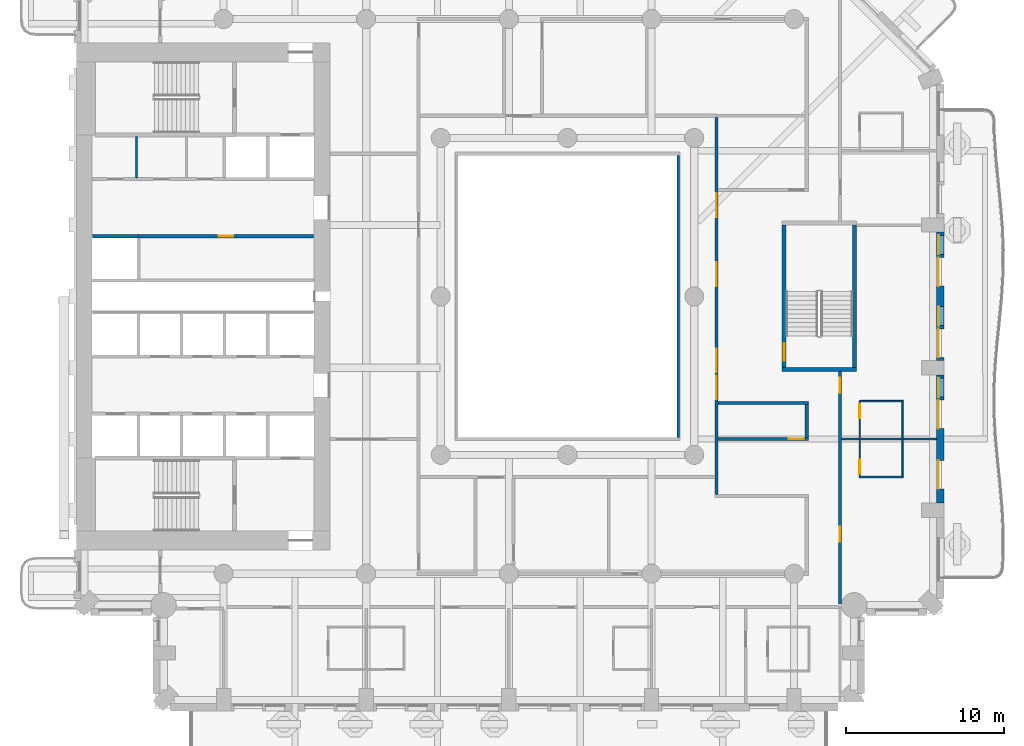
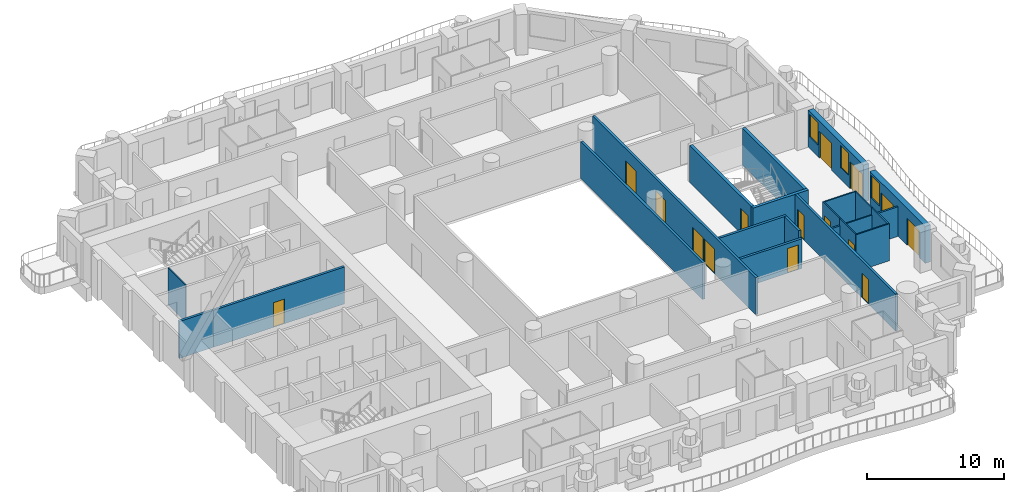
# One storey, part 6 of 20: 23 walls, 15 doors, 3 windows, 18 openings.
"""IFC4 building model written with IfcOpenShell, lengths in metres."""

from ifc_helpers import new_model, si_unit, direction, frame, frame_2d, origin, place, context, subcontext, project, spatial, rectangle, extrude, material, layer, layer_set, type_object, element, fill, save


model = new_model("IFC4")

# Units and contexts
model_context = context("Model", 3, precision=1e-05, world=origin(), true_north=direction((0.0, 1.0)))
body_context = subcontext(model_context, "Body", "Model", "MODEL_VIEW")
ifc_project = project(units=[si_unit("LENGTHUNIT", "METRE"), si_unit("AREAUNIT", "SQUARE_METRE"), si_unit("VOLUMEUNIT", "CUBIC_METRE"), si_unit("PLANEANGLEUNIT", "RADIAN"), si_unit("MASSUNIT", "GRAM", prefix="KILO")], contexts=[model_context])

# Site, building, storey
site_placement = place(None, origin())
site = spatial("IfcSite", under=ifc_project, at=site_placement, CompositionType="ELEMENT")
building_placement = place(site_placement, origin())
building = spatial("IfcBuilding", under=site, at=building_placement, Name="Cypress Arch Tower", CompositionType="ELEMENT")
storey_placement = place(building_placement, frame((0.0, 0.0, 73.5)))
storey = spatial("IfcBuildingStorey", under=building, at=storey_placement, Name="L12", CompositionType="ELEMENT", Elevation=73.5)

# Wall, openings, doors, window
ifc_material_1 = material(Name="Brick (red buff blend)", Category="masonry")
ifc_layer_1 = layer(ifc_material_1, 0.449951171875)
ifc_layer_set_1 = layer_set([ifc_layer_1], Name="Brick pier and spandrel wall BW450")
wall_type_1 = type_object("IfcWallType", Name="Brick pier and spandrel wall BW450", PredefinedType="SOLIDWALL", material=ifc_layer_set_1)
wall_1_placement = place(storey_placement, frame((24.52490234375, -13.050048828125, 0.0), z_axis=(0.0, 0.0, 1.0), x_axis=(0.0, 1.0, 0.0)))
wall_1 = element("IfcWall", 1, at=wall_1_placement, inside=storey, type_object=wall_type_1, Name="Brick wall L12 A06.1", PredefinedType="SOLIDWALL", context=body_context, shape_type="SweptSolid", body=[
    extrude(rectangle(XDim=8.10009765625, YDim=0.449951171875, at=frame_2d((4.050048828125, 0.0))), origin(), (0.0, 0.0, 1.0), 3.300048828125),
])
opening_1_placement = place(wall_1_placement, frame((0.89990234375, 0.0, 0.0)))
opening_1 = element("IfcOpeningElement", 2, at=opening_1_placement, cuts=wall_1, Name="Opening D-L12-A06.1.1", PredefinedType="OPENING", context=body_context, shape_type="SweptSolid", body=[
    extrude(rectangle(XDim=1.800048828125, YDim=2.39990234375, at=frame_2d((0.89990234375, 1.199951171875))), frame((0.0, 0.23486328125, 0.0), z_axis=(0.0, -1.0, 0.0), x_axis=(1.0, 0.0, 0.0)), (0.0, 0.0, 1.0), 0.469970703125),
])
opening_2_placement = place(wall_1_placement, frame((4.699951171875, 0.0, 0.0)))
opening_2 = element("IfcOpeningElement", 3, at=opening_2_placement, cuts=wall_1, Name="Opening D-L12-A06.1.2", PredefinedType="OPENING", context=body_context, shape_type="SweptSolid", body=[
    extrude(rectangle(XDim=1.800048828125, YDim=2.39990234375, at=frame_2d((0.89990234375, 1.199951171875))), frame((0.0, 0.23486328125, 0.0), z_axis=(0.0, -1.0, 0.0), x_axis=(1.0, 0.0, 0.0)), (0.0, 0.0, 1.0), 0.469970703125),
])
opening_3_placement = place(wall_1_placement, frame((6.699951171875, 0.0, 1.050048828125)))
opening_3 = element("IfcOpeningElement", 4, at=opening_3_placement, cuts=wall_1, Name="Opening W120HD", PredefinedType="OPENING", context=body_context, shape_type="SweptSolid", body=[
    extrude(rectangle(XDim=1.199951171875, YDim=2.0, at=frame_2d((0.60009765625, 1.0))), frame((0.0, 0.23486328125, 0.0), z_axis=(0.0, -1.0, 0.0), x_axis=(1.0, 0.0, 0.0)), (0.0, 0.0, 1.0), 0.469970703125),
])
ifc_material_2 = material(Name="Anodised aluminium, bronze finish, laminated low-emissivity double glazing, large-missile impact rated", Category="aluminium")
door_type_1 = type_object("IfcDoorType", Name="Balcony sliding door 1800x2400", OperationType="SLIDING_TO_LEFT", PredefinedType="DOOR", material=ifc_material_2)
door_1_placement = place(opening_1_placement, origin())
door_1 = element("IfcDoor", 5, at=door_1_placement, inside=storey, type_object=door_type_1, Name="Balcony door L12 A06.1.1", OperationType="SLIDING_TO_LEFT", OverallHeight=2.39990234375, OverallWidth=1.800048828125, PredefinedType="DOOR", context=body_context, shape_type="SweptSolid", body=[
    extrude(rectangle(XDim=1.800048828125, YDim=2.39990234375, at=frame_2d((0.89990234375, 1.199951171875))), frame((0.0, 0.1298828125, 0.0), z_axis=(0.0, -1.0, 0.0), x_axis=(1.0, 0.0, 0.0)), (0.0, 0.0, 1.0), 0.050048828125),
])
fill(opening_1, door_1)
door_2_placement = place(opening_2_placement, origin())
door_2 = element("IfcDoor", 6, at=door_2_placement, inside=storey, type_object=door_type_1, Name="Balcony door L12 A06.1.2", OperationType="SLIDING_TO_LEFT", OverallHeight=2.39990234375, OverallWidth=1.800048828125, PredefinedType="DOOR", context=body_context, shape_type="SweptSolid", body=[
    extrude(rectangle(XDim=1.800048828125, YDim=2.39990234375, at=frame_2d((0.89990234375, 1.199951171875))), frame((0.0, 0.1298828125, 0.0), z_axis=(0.0, -1.0, 0.0), x_axis=(1.0, 0.0, 0.0)), (0.0, 0.0, 1.0), 0.050048828125),
])
fill(opening_2, door_2)
ifc_material_3 = material(Name="Anodised aluminium, bronze finish, laminated low-emissivity double glazing, large-missile impact rated", Category="aluminium")
window_type = type_object("IfcWindowType", Name="Window Hotel 1200x2000 debris-rated", PartitioningType="SINGLE_PANEL", PredefinedType="WINDOW", material=ifc_material_3)
window_1_placement = place(opening_3_placement, origin())
window_1 = element("IfcWindow", 7, at=window_1_placement, inside=storey, type_object=window_type, Name="Window L12 A06.1.2", OverallHeight=2.0, OverallWidth=1.199951171875, PartitioningType="SINGLE_PANEL", PredefinedType="WINDOW", context=body_context, shape_type="SweptSolid", body=[
    extrude(rectangle(XDim=1.199951171875, YDim=2.0, at=frame_2d((0.60009765625, 1.0))), frame((0.0, 0.135009765625, 0.0), z_axis=(0.0, -1.0, 0.0), x_axis=(1.0, 0.0, 0.0)), (0.0, 0.0, 1.0), 0.06005859375),
])
fill(opening_3, window_1)

# Wall, openings, doors, windows
wall_2_placement = place(storey_placement, frame((24.52490234375, -4.050048828125, 0.0), z_axis=(0.0, 0.0, 1.0), x_axis=(0.0, 1.0, 0.0)))
wall_2 = element("IfcWall", 8, at=wall_2_placement, inside=storey, type_object=wall_type_1, Name="Brick wall L12 A06.2", PredefinedType="SOLIDWALL", context=body_context, shape_type="SweptSolid", body=[
    extrude(rectangle(XDim=8.10009765625, YDim=0.449951171875, at=frame_2d((4.050048828125, 0.0))), origin(), (0.0, 0.0, 1.0), 3.300048828125),
])
opening_4_placement = place(wall_2_placement, frame((0.199951171875, 0.0, 0.0)))
opening_4 = element("IfcOpeningElement", 9, at=opening_4_placement, cuts=wall_2, Name="Opening D-L12-A06.2.1", PredefinedType="OPENING", context=body_context, shape_type="SweptSolid", body=[
    extrude(rectangle(XDim=1.800048828125, YDim=2.39990234375, at=frame_2d((0.89990234375, 1.199951171875))), frame((0.0, 0.23486328125, 0.0), z_axis=(0.0, -1.0, 0.0), x_axis=(1.0, 0.0, 0.0)), (0.0, 0.0, 1.0), 0.469970703125),
])
opening_5_placement = place(wall_2_placement, frame((2.199951171875, 0.0, 1.050048828125)))
opening_5 = element("IfcOpeningElement", 10, at=opening_5_placement, cuts=wall_2, Name="Opening W120HD", PredefinedType="OPENING", context=body_context, shape_type="SweptSolid", body=[
    extrude(rectangle(XDim=1.199951171875, YDim=2.0, at=frame_2d((0.60009765625, 1.0))), frame((0.0, 0.23486328125, 0.0), z_axis=(0.0, -1.0, 0.0), x_axis=(1.0, 0.0, 0.0)), (0.0, 0.0, 1.0), 0.469970703125),
])
opening_6_placement = place(wall_2_placement, frame((4.699951171875, 0.0, 0.0)))
opening_6 = element("IfcOpeningElement", 11, at=opening_6_placement, cuts=wall_2, Name="Opening D-L12-A06.2.2", PredefinedType="OPENING", context=body_context, shape_type="SweptSolid", body=[
    extrude(rectangle(XDim=1.800048828125, YDim=2.39990234375, at=frame_2d((0.89990234375, 1.199951171875))), frame((0.0, 0.23486328125, 0.0), z_axis=(0.0, -1.0, 0.0), x_axis=(1.0, 0.0, 0.0)), (0.0, 0.0, 1.0), 0.469970703125),
])
opening_7_placement = place(wall_2_placement, frame((6.699951171875, 0.0, 1.050048828125)))
opening_7 = element("IfcOpeningElement", 12, at=opening_7_placement, cuts=wall_2, Name="Opening W120HD", PredefinedType="OPENING", context=body_context, shape_type="SweptSolid", body=[
    extrude(rectangle(XDim=1.199951171875, YDim=2.0, at=frame_2d((0.60009765625, 1.0))), frame((0.0, 0.23486328125, 0.0), z_axis=(0.0, -1.0, 0.0), x_axis=(1.0, 0.0, 0.0)), (0.0, 0.0, 1.0), 0.469970703125),
])
door_3_placement = place(opening_4_placement, origin())
door_3 = element("IfcDoor", 13, at=door_3_placement, inside=storey, type_object=door_type_1, Name="Balcony door L12 A06.2.1", OperationType="SLIDING_TO_LEFT", OverallHeight=2.39990234375, OverallWidth=1.800048828125, PredefinedType="DOOR", context=body_context, shape_type="SweptSolid", body=[
    extrude(rectangle(XDim=1.800048828125, YDim=2.39990234375, at=frame_2d((0.89990234375, 1.199951171875))), frame((0.0, 0.1298828125, 0.0), z_axis=(0.0, -1.0, 0.0), x_axis=(1.0, 0.0, 0.0)), (0.0, 0.0, 1.0), 0.050048828125),
])
fill(opening_4, door_3)
door_4_placement = place(opening_6_placement, origin())
door_4 = element("IfcDoor", 14, at=door_4_placement, inside=storey, type_object=door_type_1, Name="Balcony door L12 A06.2.2", OperationType="SLIDING_TO_LEFT", OverallHeight=2.39990234375, OverallWidth=1.800048828125, PredefinedType="DOOR", context=body_context, shape_type="SweptSolid", body=[
    extrude(rectangle(XDim=1.800048828125, YDim=2.39990234375, at=frame_2d((0.89990234375, 1.199951171875))), frame((0.0, 0.1298828125, 0.0), z_axis=(0.0, -1.0, 0.0), x_axis=(1.0, 0.0, 0.0)), (0.0, 0.0, 1.0), 0.050048828125),
])
fill(opening_6, door_4)
window_2_placement = place(opening_5_placement, origin())
window_2 = element("IfcWindow", 15, at=window_2_placement, inside=storey, type_object=window_type, Name="Window L12 A06.2.1", OverallHeight=2.0, OverallWidth=1.199951171875, PartitioningType="SINGLE_PANEL", PredefinedType="WINDOW", context=body_context, shape_type="SweptSolid", body=[
    extrude(rectangle(XDim=1.199951171875, YDim=2.0, at=frame_2d((0.60009765625, 1.0))), frame((0.0, 0.135009765625, 0.0), z_axis=(0.0, -1.0, 0.0), x_axis=(1.0, 0.0, 0.0)), (0.0, 0.0, 1.0), 0.06005859375),
])
fill(opening_5, window_2)
window_3_placement = place(opening_7_placement, origin())
window_3 = element("IfcWindow", 16, at=window_3_placement, inside=storey, type_object=window_type, Name="Window L12 A06.2.2", OverallHeight=2.0, OverallWidth=1.199951171875, PartitioningType="SINGLE_PANEL", PredefinedType="WINDOW", context=body_context, shape_type="SweptSolid", body=[
    extrude(rectangle(XDim=1.199951171875, YDim=2.0, at=frame_2d((0.60009765625, 1.0))), frame((0.0, 0.135009765625, 0.0), z_axis=(0.0, -1.0, 0.0), x_axis=(1.0, 0.0, 0.0)), (0.0, 0.0, 1.0), 0.06005859375),
])
fill(opening_7, window_3)

# Wall
ifc_material_4 = material(Name="Concrete blockwork, plastered, rated", Category="masonry")
ifc_layer_2 = layer(ifc_material_4, 0.199951171875)
ifc_layer_set_2 = layer_set([ifc_layer_2], Name="Corridor wall FW200")
wall_type_2 = type_object("IfcWallType", Name="Corridor wall FW200", PredefinedType="PARTITIONING", material=ifc_layer_set_2)
wall_3_placement = place(storey_placement, frame((8.0, -8.89990234375, 0.0), z_axis=(0.0, 0.0, 1.0), x_axis=(0.0, 1.0, 0.0)))
element("IfcWall", 17, at=wall_3_placement, inside=storey, type_object=wall_type_2, Name="Corridor wall", PredefinedType="PARTITIONING", context=body_context, shape_type="SweptSolid", body=[
    extrude(rectangle(XDim=17.7998046875, YDim=0.199951171875, at=frame_2d((8.89990234375, 0.0))), origin(), (0.0, 0.0, 1.0), 3.300048828125),
])

# Wall, openings, doors
wall_4_placement = place(storey_placement, frame((10.39892578125, -12.5, 0.0), z_axis=(0.0, 0.0, 1.0), x_axis=(0.0, 1.0, 0.0)))
wall_4 = element("IfcWall", 18, at=wall_4_placement, inside=storey, type_object=wall_type_2, Name="Corridor wall", PredefinedType="PARTITIONING", context=body_context, shape_type="SweptSolid", body=[
    extrude(rectangle(XDim=23.800048828125, YDim=0.199951171875, at=frame_2d((11.89990234375, 0.0))), origin(), (0.0, 0.0, 1.0), 3.300048828125),
])
opening_8_placement = place(wall_4_placement, frame((6.0, 0.0, 0.0)))
opening_8 = element("IfcOpeningElement", 19, at=opening_8_placement, cuts=wall_4, Name="Opening D04", PredefinedType="OPENING", context=body_context, shape_type="SweptSolid", body=[
    extrude(rectangle(XDim=1.5, YDim=2.199951171875, at=frame_2d((0.75, 1.10009765625))), frame((0.0, 0.10986328125, 0.0), z_axis=(0.0, -1.0, 0.0), x_axis=(1.0, 0.0, 0.0)), (0.0, 0.0, 1.0), 0.219970703125),
])
opening_9_placement = place(wall_4_placement, frame((17.5, 0.0, 0.0)))
opening_9 = element("IfcOpeningElement", 20, at=opening_9_placement, cuts=wall_4, Name="Opening D04", PredefinedType="OPENING", context=body_context, shape_type="SweptSolid", body=[
    extrude(rectangle(XDim=1.5, YDim=2.199951171875, at=frame_2d((0.75, 1.10009765625))), frame((0.0, 0.10986328125, 0.0), z_axis=(0.0, -1.0, 0.0), x_axis=(1.0, 0.0, 0.0)), (0.0, 0.0, 1.0), 0.219970703125),
])
opening_10_placement = place(wall_4_placement, frame((7.699951171875, 0.0, 0.0)))
opening_10 = element("IfcOpeningElement", 21, at=opening_10_placement, cuts=wall_4, Name="Opening D04", PredefinedType="OPENING", context=body_context, shape_type="SweptSolid", body=[
    extrude(rectangle(XDim=1.5, YDim=2.199951171875, at=frame_2d((0.75, 1.10009765625))), frame((0.0, 0.10986328125, 0.0), z_axis=(0.0, -1.0, 0.0), x_axis=(1.0, 0.0, 0.0)), (0.0, 0.0, 1.0), 0.219970703125),
])
opening_11_placement = place(wall_4_placement, frame((13.14990234375, 0.0, 0.0)))
opening_11 = element("IfcOpeningElement", 22, at=opening_11_placement, cuts=wall_4, Name="Opening D04", PredefinedType="OPENING", context=body_context, shape_type="SweptSolid", body=[
    extrude(rectangle(XDim=1.5, YDim=2.199951171875, at=frame_2d((0.75, 1.10009765625))), frame((0.0, 0.10986328125, 0.0), z_axis=(0.0, -1.0, 0.0), x_axis=(1.0, 0.0, 0.0)), (0.0, 0.0, 1.0), 0.219970703125),
])
ifc_material_5 = material(Name="Timber double door", Category="wood")
door_type_2 = type_object("IfcDoorType", Name="Double door D04 1500x2200", OperationType="DOUBLE_DOOR_SINGLE_SWING", PredefinedType="DOOR", material=ifc_material_5)
door_5_placement = place(opening_8_placement, origin())
door_5 = element("IfcDoor", 23, at=door_5_placement, inside=storey, type_object=door_type_2, Name="Double door", OperationType="DOUBLE_DOOR_SINGLE_SWING", OverallHeight=2.199951171875, OverallWidth=1.5, PredefinedType="DOOR", context=body_context, shape_type="SweptSolid", body=[
    extrude(rectangle(XDim=1.5, YDim=2.199951171875, at=frame_2d((0.75, 1.10009765625))), frame((0.0, 0.02490234375, 0.0), z_axis=(0.0, -1.0, 0.0), x_axis=(1.0, 0.0, 0.0)), (0.0, 0.0, 1.0), 0.050048828125),
])
fill(opening_8, door_5)
door_6_placement = place(opening_9_placement, origin())
door_6 = element("IfcDoor", 24, at=door_6_placement, inside=storey, type_object=door_type_2, Name="Double door", OperationType="DOUBLE_DOOR_SINGLE_SWING", OverallHeight=2.199951171875, OverallWidth=1.5, PredefinedType="DOOR", context=body_context, shape_type="SweptSolid", body=[
    extrude(rectangle(XDim=1.5, YDim=2.199951171875, at=frame_2d((0.75, 1.10009765625))), frame((0.0, 0.02490234375, 0.0), z_axis=(0.0, -1.0, 0.0), x_axis=(1.0, 0.0, 0.0)), (0.0, 0.0, 1.0), 0.050048828125),
])
fill(opening_9, door_6)
door_7_placement = place(opening_10_placement, origin())
door_7 = element("IfcDoor", 25, at=door_7_placement, inside=storey, type_object=door_type_2, Name="Double door", OperationType="DOUBLE_DOOR_SINGLE_SWING", OverallHeight=2.199951171875, OverallWidth=1.5, PredefinedType="DOOR", context=body_context, shape_type="SweptSolid", body=[
    extrude(rectangle(XDim=1.5, YDim=2.199951171875, at=frame_2d((0.75, 1.10009765625))), frame((0.0, 0.02490234375, 0.0), z_axis=(0.0, -1.0, 0.0), x_axis=(1.0, 0.0, 0.0)), (0.0, 0.0, 1.0), 0.050048828125),
])
fill(opening_10, door_7)
door_8_placement = place(opening_11_placement, origin())
door_8 = element("IfcDoor", 26, at=door_8_placement, inside=storey, type_object=door_type_2, Name="Double door", OperationType="DOUBLE_DOOR_SINGLE_SWING", OverallHeight=2.199951171875, OverallWidth=1.5, PredefinedType="DOOR", context=body_context, shape_type="SweptSolid", body=[
    extrude(rectangle(XDim=1.5, YDim=2.199951171875, at=frame_2d((0.75, 1.10009765625))), frame((0.0, 0.02490234375, 0.0), z_axis=(0.0, -1.0, 0.0), x_axis=(1.0, 0.0, 0.0)), (0.0, 0.0, 1.0), 0.050048828125),
])
fill(opening_11, door_8)

# Wall, opening, door
wall_5_placement = place(storey_placement, frame((10.5, -9.0, 0.0), z_axis=(0.0, 0.0, 1.0), x_axis=(1.0, 0.0, 0.0)))
wall_5 = element("IfcWall", 27, at=wall_5_placement, inside=storey, type_object=wall_type_2, Name="Corridor wall", PredefinedType="PARTITIONING", context=body_context, shape_type="SweptSolid", body=[
    extrude(rectangle(XDim=5.699951171875, YDim=0.199951171875, at=frame_2d((2.85009765625, 0.0))), origin(), (0.0, 0.0, 1.0), 2.64990234375),
])
opening_12_placement = place(wall_5_placement, frame((4.449951171875, 0.0, 0.0)))
opening_12 = element("IfcOpeningElement", 28, at=opening_12_placement, cuts=wall_5, Name="Opening D02", PredefinedType="OPENING", context=body_context, shape_type="SweptSolid", body=[
    extrude(rectangle(XDim=0.949951171875, YDim=2.199951171875, at=frame_2d((0.47509765625, 1.10009765625))), frame((0.0, 0.10986328125, 0.0), z_axis=(0.0, -1.0, 0.0), x_axis=(1.0, 0.0, 0.0)), (0.0, 0.0, 1.0), 0.219970703125),
])
ifc_material_6 = material(Name="Timber flush door, fire resisting", Category="wood")
door_type_3 = type_object("IfcDoorType", Name="Room door D02 950x2200", OperationType="SINGLE_SWING_LEFT", PredefinedType="DOOR", material=ifc_material_6)
door_9_placement = place(opening_12_placement, origin())
door_9 = element("IfcDoor", 29, at=door_9_placement, inside=storey, type_object=door_type_3, Name="Room door", OperationType="SINGLE_SWING_RIGHT", OverallHeight=2.199951171875, OverallWidth=0.949951171875, PredefinedType="DOOR", context=body_context, shape_type="SweptSolid", body=[
    extrude(rectangle(XDim=0.949951171875, YDim=2.199951171875, at=frame_2d((0.47509765625, 1.10009765625))), frame((0.0, 0.02490234375, 0.0), z_axis=(0.0, -1.0, 0.0), x_axis=(1.0, 0.0, 0.0)), (0.0, 0.0, 1.0), 0.050048828125),
])
fill(opening_12, door_9)

# Walls
wall_6_placement = place(storey_placement, frame((10.5, -6.72509765625, 0.0), z_axis=(0.0, 0.0, 1.0), x_axis=(1.0, 0.0, 0.0)))
element("IfcWall", 30, at=wall_6_placement, inside=storey, type_object=wall_type_2, Name="Corridor wall", PredefinedType="PARTITIONING", context=body_context, shape_type="SweptSolid", body=[
    extrude(rectangle(XDim=5.699951171875, YDim=0.199951171875, at=frame_2d((2.85009765625, 0.0))), origin(), (0.0, 0.0, 1.0), 3.300048828125),
])
wall_7_placement = place(storey_placement, frame((16.10009765625, -8.89990234375, 0.0), z_axis=(0.0, 0.0, 1.0), x_axis=(0.0, 1.0, 0.0)))
element("IfcWall", 31, at=wall_7_placement, inside=storey, type_object=wall_type_2, Name="Corridor wall", PredefinedType="PARTITIONING", context=body_context, shape_type="SweptSolid", body=[
    extrude(rectangle(XDim=2.074951171875, YDim=0.199951171875, at=frame_2d((1.03759765625, 0.0))), origin(), (0.0, 0.0, 1.0), 3.300048828125),
])

# Wall, openings, doors
wall_8_placement = place(storey_placement, frame((18.199951171875, -19.419921875, 0.0), z_axis=(0.0, 0.0, 1.0), x_axis=(0.0, 1.0, 0.0)))
wall_8 = element("IfcWall", 32, at=wall_8_placement, inside=storey, type_object=wall_type_2, Name="Corridor wall", PredefinedType="PARTITIONING", context=body_context, shape_type="SweptSolid", body=[
    extrude(rectangle(XDim=14.669921875, YDim=0.199951171875, at=frame_2d((7.3349609375, 0.0))), origin(), (0.0, 0.0, 1.0), 3.300048828125),
])
opening_13_placement = place(wall_8_placement, frame((3.949951171875, 0.0, 0.0)))
opening_13 = element("IfcOpeningElement", 33, at=opening_13_placement, cuts=wall_8, Name="Opening D02", PredefinedType="OPENING", context=body_context, shape_type="SweptSolid", body=[
    extrude(rectangle(XDim=0.949951171875, YDim=2.199951171875, at=frame_2d((0.47509765625, 1.10009765625))), frame((0.0, 0.10986328125, 0.0), z_axis=(0.0, -1.0, 0.0), x_axis=(1.0, 0.0, 0.0)), (0.0, 0.0, 1.0), 0.219970703125),
])
opening_14_placement = place(wall_8_placement, frame((13.35009765625, 0.0, 0.0)))
opening_14 = element("IfcOpeningElement", 34, at=opening_14_placement, cuts=wall_8, Name="Opening D02", PredefinedType="OPENING", context=body_context, shape_type="SweptSolid", body=[
    extrude(rectangle(XDim=0.949951171875, YDim=2.199951171875, at=frame_2d((0.47509765625, 1.10009765625))), frame((0.0, 0.10986328125, 0.0), z_axis=(0.0, -1.0, 0.0), x_axis=(1.0, 0.0, 0.0)), (0.0, 0.0, 1.0), 0.219970703125),
])
door_10_placement = place(opening_13_placement, origin())
door_10 = element("IfcDoor", 35, at=door_10_placement, inside=storey, type_object=door_type_3, Name="Room door", OperationType="SINGLE_SWING_RIGHT", OverallHeight=2.199951171875, OverallWidth=0.949951171875, PredefinedType="DOOR", context=body_context, shape_type="SweptSolid", body=[
    extrude(rectangle(XDim=0.949951171875, YDim=2.199951171875, at=frame_2d((0.47509765625, 1.10009765625))), frame((0.0, 0.02490234375, 0.0), z_axis=(0.0, -1.0, 0.0), x_axis=(1.0, 0.0, 0.0)), (0.0, 0.0, 1.0), 0.050048828125),
])
fill(opening_13, door_10)
door_11_placement = place(opening_14_placement, origin())
door_11 = element("IfcDoor", 36, at=door_11_placement, inside=storey, type_object=door_type_3, Name="Room door", OperationType="SINGLE_SWING_LEFT", OverallHeight=2.199951171875, OverallWidth=0.949951171875, PredefinedType="DOOR", context=body_context, shape_type="SweptSolid", body=[
    extrude(rectangle(XDim=0.949951171875, YDim=2.199951171875, at=frame_2d((0.47509765625, 1.10009765625))), frame((0.0, 0.02490234375, 0.0), z_axis=(0.0, -1.0, 0.0), x_axis=(1.0, 0.0, 0.0)), (0.0, 0.0, 1.0), 0.050048828125),
])
fill(opening_14, door_11)

# Walls
ifc_material_7 = material(Name="Blockwork, plastered both sides", Category="masonry")
ifc_layer_3 = layer(ifc_material_7, 0.14990234375)
ifc_layer_set_3 = layer_set([ifc_layer_3], Name="Partition PW150")
wall_type_3 = type_object("IfcWallType", Name="Partition PW150", PredefinedType="PARTITIONING", material=ifc_layer_set_3)
wall_9_placement = place(storey_placement, frame((18.300048828125, -9.0, 0.0), z_axis=(0.0, 0.0, 1.0), x_axis=(1.0, 0.0, 0.0)))
element("IfcWall", 37, at=wall_9_placement, inside=storey, type_object=wall_type_3, Name="Partition", PredefinedType="PARTITIONING", context=body_context, shape_type="SweptSolid", body=[
    extrude(rectangle(XDim=1.1298828125, YDim=0.14990234375, at=frame_2d((0.56494140625, 0.0))), origin(), (0.0, 0.0, 1.0), 2.64990234375),
])
wall_10_placement = place(storey_placement, frame((22.169921875, -9.0, 0.0), z_axis=(0.0, 0.0, 1.0), x_axis=(1.0, 0.0, 0.0)))
element("IfcWall", 38, at=wall_10_placement, inside=storey, type_object=wall_type_3, Name="Partition", PredefinedType="PARTITIONING", context=body_context, shape_type="SweptSolid", body=[
    extrude(rectangle(XDim=2.130126953125, YDim=0.14990234375, at=frame_2d((1.06494140625, 0.0))), origin(), (0.0, 0.0, 1.0), 2.64990234375),
])

# Wall, opening, door
ifc_material_8 = material(Name="Reinforced blockwork, plastered, rated", Category="masonry")
ifc_layer_4 = layer(ifc_material_8, 0.199951171875)
ifc_layer_set_4 = layer_set([ifc_layer_4], Name="Plant and riser wall PL200")
wall_type_4 = type_object("IfcWallType", Name="Plant and riser wall PL200", PredefinedType="PARTITIONING", material=ifc_layer_set_4)
wall_11_placement = place(storey_placement, frame((-26.10009765625, 3.800048828125, 0.0), z_axis=(0.0, 0.0, 1.0), x_axis=(1.0, 0.0, 0.0)))
wall_11 = element("IfcWall", 39, at=wall_11_placement, inside=storey, type_object=wall_type_4, Name="Plant and riser wall", PredefinedType="PARTITIONING", context=body_context, shape_type="SweptSolid", body=[
    extrude(rectangle(XDim=11.070068359375, YDim=0.199951171875, at=frame_2d((5.53515625, 0.0))), origin(), (0.0, 0.0, 1.0), 3.300048828125),
])
opening_15_placement = place(wall_11_placement, frame((5.10009765625, 0.0, 0.0)))
opening_15 = element("IfcOpeningElement", 40, at=opening_15_placement, cuts=wall_11, Name="Opening D05", PredefinedType="OPENING", context=body_context, shape_type="SweptSolid", body=[
    extrude(rectangle(XDim=0.89990234375, YDim=2.199951171875, at=frame_2d((0.449951171875, 1.10009765625))), frame((0.0, 0.10986328125, 0.0), z_axis=(0.0, -1.0, 0.0), x_axis=(1.0, 0.0, 0.0)), (0.0, 0.0, 1.0), 0.219970703125),
])
ifc_material_9 = material(Name="Timber flush door", Category="wood")
door_type_4 = type_object("IfcDoorType", Name="Service door D05 900x2200", OperationType="SINGLE_SWING_LEFT", PredefinedType="DOOR", material=ifc_material_9)
door_12_placement = place(opening_15_placement, origin())
door_12 = element("IfcDoor", 41, at=door_12_placement, inside=storey, type_object=door_type_4, Name="Service door", OperationType="SINGLE_SWING_LEFT", OverallHeight=2.199951171875, OverallWidth=0.89990234375, PredefinedType="DOOR", context=body_context, shape_type="SweptSolid", body=[
    extrude(rectangle(XDim=0.89990234375, YDim=2.199951171875, at=frame_2d((0.449951171875, 1.10009765625))), frame((0.0, 0.02490234375, 0.0), z_axis=(0.0, -1.0, 0.0), x_axis=(1.0, 0.0, 0.0)), (0.0, 0.0, 1.0), 0.050048828125),
])
fill(opening_15, door_12)

# Wall
ifc_material_10 = material(Name="Concrete C50/60", Category="concrete")
ifc_layer_5 = layer(ifc_material_10, 0.199951171875)
ifc_layer_set_5 = layer_set([ifc_layer_5], Name="Shaft wall SH200")
wall_type_5 = type_object("IfcWallType", Name="Shaft wall SH200", PredefinedType="SHEAR", material=ifc_layer_set_5)
wall_12_placement = place(storey_placement, frame((-28.969970703125, 3.800048828125, 0.0), z_axis=(0.0, 0.0, 1.0), x_axis=(1.0, 0.0, 0.0)))
element("IfcWall", 42, at=wall_12_placement, inside=storey, type_object=wall_type_5, Name="Shaft wall", PredefinedType="SHEAR", context=body_context, shape_type="SweptSolid", body=[
    extrude(rectangle(XDim=2.869873046875, YDim=0.199951171875, at=frame_2d((1.43505859375, 0.0))), origin(), (0.0, 0.0, 1.0), 3.300048828125),
])

# Wall, opening, door
ifc_material_11 = material(Name="Concrete C50/60", Category="concrete")
ifc_layer_6 = layer(ifc_material_11, 0.25)
ifc_layer_set_6 = layer_set([ifc_layer_6], Name="Stair enclosure wall SW250")
wall_type_6 = type_object("IfcWallType", Name="Stair enclosure wall SW250", PredefinedType="SHEAR", material=ifc_layer_set_6)
wall_13_placement = place(storey_placement, frame((14.675048828125, -4.5, 0.0), z_axis=(0.0, 0.0, 1.0), x_axis=(0.0, 1.0, 0.0)))
wall_13 = element("IfcWall", 43, at=wall_13_placement, inside=storey, type_object=wall_type_6, Name="Stair enclosure wall", PredefinedType="SHEAR", context=body_context, shape_type="SweptSolid", body=[
    extrude(rectangle(XDim=9.0, YDim=0.25, at=frame_2d((4.5, 0.0))), origin(), (0.0, 0.0, 1.0), 3.300048828125),
])
opening_16_placement = place(wall_13_placement, frame((0.449951171875, 0.0, 0.0)))
opening_16 = element("IfcOpeningElement", 44, at=opening_16_placement, cuts=wall_13, Name="Opening D06", PredefinedType="OPENING", context=body_context, shape_type="SweptSolid", body=[
    extrude(rectangle(XDim=1.10009765625, YDim=2.199951171875, at=frame_2d((0.550048828125, 1.10009765625))), frame((0.0, 0.135009765625, 0.0), z_axis=(0.0, -1.0, 0.0), x_axis=(1.0, 0.0, 0.0)), (0.0, 0.0, 1.0), 0.27001953125),
])
ifc_material_12 = material(Name="Steel door, fire resisting, panic bar", Category="steel")
door_type_5 = type_object("IfcDoorType", Name="Stair door D06 1100x2200", OperationType="SINGLE_SWING_LEFT", PredefinedType="DOOR", material=ifc_material_12)
door_13_placement = place(opening_16_placement, origin())
door_13 = element("IfcDoor", 45, at=door_13_placement, inside=storey, type_object=door_type_5, Name="Stair door", OperationType="SINGLE_SWING_RIGHT", OverallHeight=2.199951171875, OverallWidth=1.10009765625, PredefinedType="DOOR", context=body_context, shape_type="SweptSolid", body=[
    extrude(rectangle(XDim=1.10009765625, YDim=2.199951171875, at=frame_2d((0.550048828125, 1.10009765625))), frame((0.0, 0.02490234375, 0.0), z_axis=(0.0, -1.0, 0.0), x_axis=(1.0, 0.0, 0.0)), (0.0, 0.0, 1.0), 0.050048828125),
])
fill(opening_16, door_13)

# Walls
wall_14_placement = place(storey_placement, frame((14.550048828125, -4.625, 0.0), z_axis=(0.0, 0.0, 1.0), x_axis=(1.0, 0.0, 0.0)))
element("IfcWall", 46, at=wall_14_placement, inside=storey, type_object=wall_type_6, Name="Stair enclosure wall", PredefinedType="SHEAR", context=body_context, shape_type="SweptSolid", body=[
    extrude(rectangle(XDim=4.699951171875, YDim=0.25, at=frame_2d((2.35009765625, 0.0))), origin(), (0.0, 0.0, 1.0), 3.300048828125),
])
wall_15_placement = place(storey_placement, frame((19.125, -4.5, 0.0), z_axis=(0.0, 0.0, 1.0), x_axis=(0.0, 1.0, 0.0)))
element("IfcWall", 47, at=wall_15_placement, inside=storey, type_object=wall_type_6, Name="Stair enclosure wall", PredefinedType="SHEAR", context=body_context, shape_type="SweptSolid", body=[
    extrude(rectangle(XDim=9.0, YDim=0.25, at=frame_2d((4.5, 0.0))), origin(), (0.0, 0.0, 1.0), 3.300048828125),
])
ifc_material_13 = material(Name="Moisture resistant board on steel studs, tiled", Category="steel")
ifc_layer_7 = layer(ifc_material_13, 0.10009765625)
ifc_layer_set_7 = layer_set([ifc_layer_7], Name="Wet wall PW100")
wall_type_7 = type_object("IfcWallType", Name="Wet wall PW100", PredefinedType="PARTITIONING", material=ifc_layer_set_7)
wall_16_placement = place(storey_placement, frame((-26.199951171875, 7.5, 0.0), z_axis=(0.0, 0.0, 1.0), x_axis=(0.0, 1.0, 0.0)))
element("IfcWall", 48, at=wall_16_placement, inside=storey, type_object=wall_type_7, Name="Wet wall", PredefinedType="PARTITIONING", context=body_context, shape_type="SweptSolid", body=[
    extrude(rectangle(XDim=2.574951171875, YDim=0.10009765625, at=frame_2d((1.28759765625, 0.0))), origin(), (0.0, 0.0, 1.0), 3.300048828125),
])
wall_17_placement = place(storey_placement, frame((19.429931640625, -9.0, 0.0), z_axis=(0.0, 0.0, 1.0), x_axis=(1.0, 0.0, 0.0)))
element("IfcWall", 49, at=wall_17_placement, inside=storey, type_object=wall_type_7, Name="Wet wall", PredefinedType="PARTITIONING", context=body_context, shape_type="SweptSolid", body=[
    extrude(rectangle(XDim=2.739990234375, YDim=0.10009765625, at=frame_2d((1.3701171875, 0.0))), origin(), (0.0, 0.0, 1.0), 2.64990234375),
])

# Wall, opening, door
wall_18_placement = place(storey_placement, frame((19.449951171875, -11.345947265625, 0.0), z_axis=(0.0, 0.0, 1.0), x_axis=(0.0, 1.0, 0.0)))
wall_18 = element("IfcWall", 50, at=wall_18_placement, inside=storey, type_object=wall_type_7, Name="Wet wall", PredefinedType="PARTITIONING", context=body_context, shape_type="SweptSolid", body=[
    extrude(rectangle(XDim=2.345947265625, YDim=0.10009765625, at=frame_2d((1.1728515625, 0.0))), origin(), (0.0, 0.0, 1.0), 3.300048828125),
])
opening_17_placement = place(wall_18_placement, frame((0.14990234375, 0.0, 0.0)))
opening_17 = element("IfcOpeningElement", 51, at=opening_17_placement, cuts=wall_18, Name="Opening D03", PredefinedType="OPENING", context=body_context, shape_type="SweptSolid", body=[
    extrude(rectangle(XDim=0.89990234375, YDim=2.199951171875, at=frame_2d((0.449951171875, 1.10009765625))), frame((0.0, 0.06005859375, 0.0), z_axis=(0.0, -1.0, 0.0), x_axis=(1.0, 0.0, 0.0)), (0.0, 0.0, 1.0), 0.1201171875),
])
ifc_material_14 = material(Name="Timber flush door, moisture resistant", Category="wood")
door_type_6 = type_object("IfcDoorType", Name="Bathroom door D03 900x2200", OperationType="SINGLE_SWING_LEFT", PredefinedType="DOOR", material=ifc_material_14)
door_14_placement = place(opening_17_placement, origin())
door_14 = element("IfcDoor", 52, at=door_14_placement, inside=storey, type_object=door_type_6, Name="Bathroom door", OperationType="SINGLE_SWING_RIGHT", OverallHeight=2.199951171875, OverallWidth=0.89990234375, PredefinedType="DOOR", context=body_context, shape_type="SweptSolid", body=[
    extrude(rectangle(XDim=0.89990234375, YDim=2.199951171875, at=frame_2d((0.449951171875, 1.10009765625))), frame((0.0, 0.02490234375, 0.0), z_axis=(0.0, -1.0, 0.0), x_axis=(1.0, 0.0, 0.0)), (0.0, 0.0, 1.0), 0.050048828125),
])
fill(opening_17, door_14)

# Wall
wall_19_placement = place(storey_placement, frame((19.39990234375, -11.39599609375, 0.0), z_axis=(0.0, 0.0, 1.0), x_axis=(1.0, 0.0, 0.0)))
element("IfcWall", 53, at=wall_19_placement, inside=storey, type_object=wall_type_7, Name="Wet wall", PredefinedType="PARTITIONING", context=body_context, shape_type="SweptSolid", body=[
    extrude(rectangle(XDim=2.800048828125, YDim=0.10009765625, at=frame_2d((1.39990234375, 0.0))), origin(), (0.0, 0.0, 1.0), 3.300048828125),
])

# Wall, opening, door
wall_20_placement = place(storey_placement, frame((19.449951171875, -9.0, 0.0), z_axis=(0.0, 0.0, 1.0), x_axis=(0.000399241409, 0.999999920303, 0.0)))
wall_20 = element("IfcWall", 54, at=wall_20_placement, inside=storey, type_object=wall_type_7, Name="Wet wall", PredefinedType="PARTITIONING", context=body_context, shape_type="SweptSolid", body=[
    extrude(rectangle(XDim=2.446044921875, YDim=0.10009765625, at=frame_2d((1.22314453125, 0.0))), origin(), (0.0, 0.0, 1.0), 3.300048828125),
])
opening_18_placement = place(wall_20_placement, frame((1.300048828125, 0.0, 0.0)))
opening_18 = element("IfcOpeningElement", 55, at=opening_18_placement, cuts=wall_20, Name="Opening D03", PredefinedType="OPENING", context=body_context, shape_type="SweptSolid", body=[
    extrude(rectangle(XDim=0.89990234375, YDim=2.199951171875, at=frame_2d((0.449951171875, 1.10009765625))), frame((0.0, 0.06005859375, 0.0), z_axis=(0.0, -1.0, 0.0), x_axis=(1.0, 0.0, 0.0)), (0.0, 0.0, 1.0), 0.1201171875),
])
door_15_placement = place(opening_18_placement, origin())
door_15 = element("IfcDoor", 56, at=door_15_placement, inside=storey, type_object=door_type_6, Name="Bathroom door", OperationType="SINGLE_SWING_LEFT", OverallHeight=2.199951171875, OverallWidth=0.89990234375, PredefinedType="DOOR", context=body_context, shape_type="SweptSolid", body=[
    extrude(rectangle(XDim=0.89990234375, YDim=2.199951171875, at=frame_2d((0.449951171875, 1.10009765625))), frame((0.0, 0.02490234375, 0.0), z_axis=(0.0, -1.0, 0.0), x_axis=(1.0, 0.0, 0.0)), (0.0, 0.0, 1.0), 0.050048828125),
])
fill(opening_18, door_15)

# Walls
wall_21_placement = place(storey_placement, frame((19.5009765625, -6.60400390625, 0.0), z_axis=(0.0, 0.0, 1.0), x_axis=(0.999999934588, -0.000361696332, 0.0)))
element("IfcWall", 57, at=wall_21_placement, inside=storey, type_object=wall_type_7, Name="Wet wall", PredefinedType="PARTITIONING", context=body_context, shape_type="SweptSolid", body=[
    extrude(rectangle(XDim=2.699951171875, YDim=0.10009765625, at=frame_2d((1.35009765625, 0.0))), origin(), (0.0, 0.0, 1.0), 3.300048828125),
])
wall_22_placement = place(storey_placement, frame((22.14990234375, -11.345947265625, 0.0), z_axis=(0.0, 0.0, 1.0), x_axis=(0.0, 1.0, 0.0)))
element("IfcWall", 58, at=wall_22_placement, inside=storey, type_object=wall_type_7, Name="Wet wall", PredefinedType="PARTITIONING", context=body_context, shape_type="SweptSolid", body=[
    extrude(rectangle(XDim=2.345947265625, YDim=0.10009765625, at=frame_2d((1.1728515625, 0.0))), origin(), (0.0, 0.0, 1.0), 3.300048828125),
])
wall_23_placement = place(storey_placement, frame((22.14990234375, -9.0, 0.0), z_axis=(0.0, 0.0, 1.0), x_axis=(0.00041644973, 0.999999913285, 0.0)))
element("IfcWall", 59, at=wall_23_placement, inside=storey, type_object=wall_type_7, Name="Wet wall", PredefinedType="PARTITIONING", context=body_context, shape_type="SweptSolid", body=[
    extrude(rectangle(XDim=2.344970703125, YDim=0.10009765625, at=frame_2d((1.17236328125, 0.0))), origin(), (0.0, 0.0, 1.0), 3.300048828125),
])

save(model, "model.ifc")
